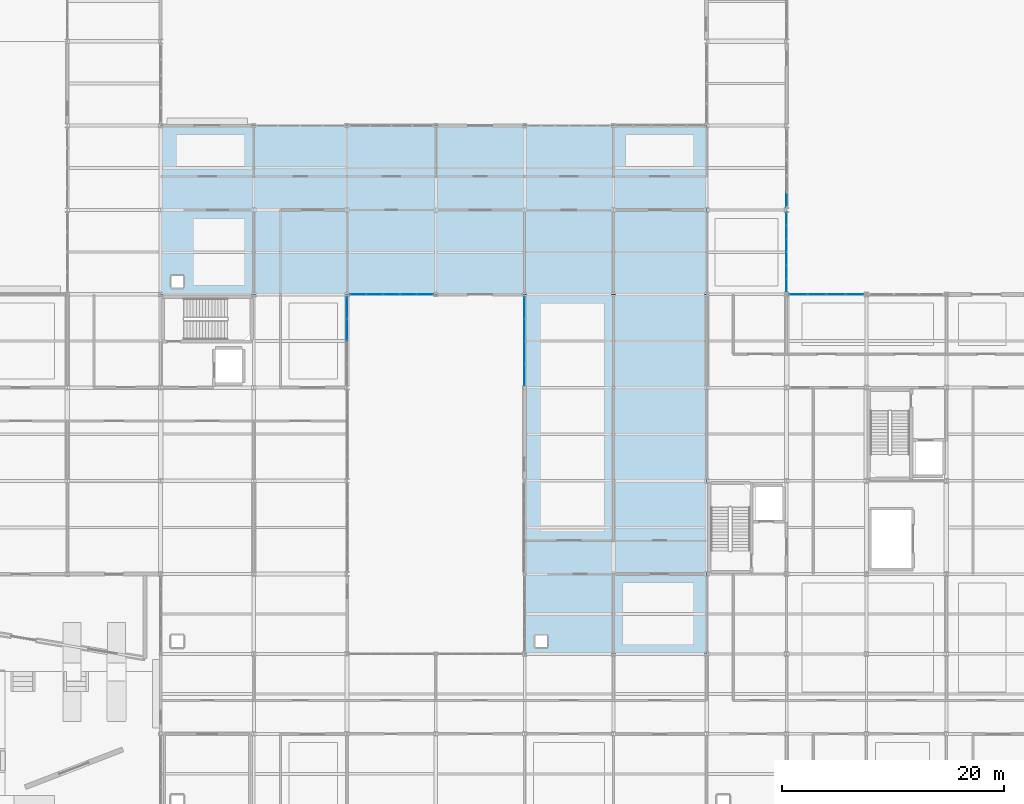
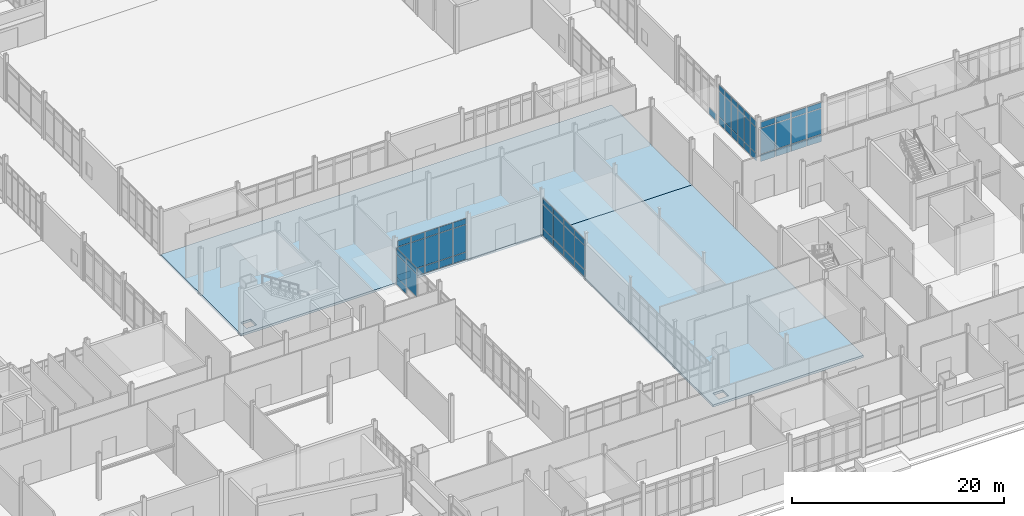
# One storey, part 144 of 229: 63 plates, 2 slabs, 6 elements without a shape of their own.
"""IFC4 building model written with IfcOpenShell, lengths in metres."""

from ifc_helpers import new_model, si_unit, direction, frame, origin, origin_2d, place, context, subcontext, project, spatial, polyline, rectangle, outline, extrude, material, layer, layer_set, type_object, element, aggregate, save


model = new_model("IFC4")

# Units and contexts
model_context = context("Model", 3, precision=1e-05, world=origin(), true_north=direction((0.0, 1.0)))
body_context = subcontext(model_context, "Body", "Model", "MODEL_VIEW")
ifc_project = project(units=[si_unit("LENGTHUNIT", "METRE"), si_unit("AREAUNIT", "SQUARE_METRE"), si_unit("VOLUMEUNIT", "CUBIC_METRE"), si_unit("PLANEANGLEUNIT", "RADIAN"), si_unit("MASSUNIT", "GRAM", prefix="KILO")], contexts=[model_context])

# Site, building, storey
site_placement = place(None, origin())
site = spatial("IfcSite", under=ifc_project, at=site_placement, CompositionType="ELEMENT")
building_placement = place(site_placement, origin())
building = spatial("IfcBuilding", under=site, at=building_placement, Name="Calvrana Isthmian Art Gallery", CompositionType="ELEMENT")
storey_placement = place(building_placement, origin())
storey = spatial("IfcBuildingStorey", under=building, at=storey_placement, Name="L00", CompositionType="ELEMENT", Elevation=0.0)

# Curtain wall, plates
ifc_material_1 = material(Name="Anodized bronze aluminium 6063-T6", Category="aluminium")
ifc_layer_1 = layer(ifc_material_1, 0.179931640625, Name="Anodized bronze aluminium 6063-T6")
ifc_layer_set_1 = layer_set([ifc_layer_1], Name="Anodized bronze aluminium 6063-T6")
curtain_wall_type_1 = type_object("IfcCurtainWallType", Name="CW-UNIT-076X48", PredefinedType="USERDEFINED", material=ifc_layer_set_1)
curtain_wall_1_placement = place(storey_placement, origin())
curtain_wall_1 = element("IfcCurtainWall", 1, at=curtain_wall_1_placement, inside=storey, type_object=curtain_wall_type_1, Name="Curtain wall CW-021", ObjectType="UNITISED CURTAIN WALL", PredefinedType="USERDEFINED")
ifc_material_2 = material(Name="Low-E laminated solar glass", Category="glass")
ifc_layer_2 = layer(ifc_material_2, 0.028076171875, Name="Low-E laminated solar glass")
ifc_layer_set_2 = layer_set([ifc_layer_2], Name="Low-E laminated solar glass")
plate_type = type_object("IfcPlateType", Name="CWP-VISION-28", PredefinedType="CURTAIN_PANEL", material=ifc_layer_set_2)
plate_1_placement = place(storey_placement, frame((87.43701171875, 46.800048828125, 0.06005859375), z_axis=(0.0, 0.0, 1.0), x_axis=(-1.0, 0.0, 0.0)))
plate_1 = element("IfcPlate", 2, at=plate_1_placement, type_object=plate_type, Name="CW-021 panel 1.1", PredefinedType="CURTAIN_PANEL", context=body_context, shape_type="SweptSolid", body=[
    extrude(rectangle(XDim=1.418212890625, YDim=0.028076171875, at=origin_2d()), origin(), (0.0, 0.0, 1.0), 0.81005859375),
])
plate_2_placement = place(storey_placement, frame((87.43701171875, 46.800048828125, 0.93017578125), z_axis=(0.0, 0.0, 1.0), x_axis=(-1.0, 0.0, 0.0)))
plate_2 = element("IfcPlate", 3, at=plate_2_placement, type_object=plate_type, Name="CW-021 panel 1.2", PredefinedType="CURTAIN_PANEL", context=body_context, shape_type="SweptSolid", body=[
    extrude(rectangle(XDim=1.418212890625, YDim=0.028076171875, at=origin_2d()), origin(), (0.0, 0.0, 1.0), 3.125244140625),
])
plate_3_placement = place(storey_placement, frame((87.43701171875, 46.800048828125, 4.115234375), z_axis=(0.0, 0.0, 1.0), x_axis=(-1.0, 0.0, 0.0)))
plate_3 = element("IfcPlate", 4, at=plate_3_placement, type_object=plate_type, Name="CW-021 panel 1.3", PredefinedType="CURTAIN_PANEL", context=body_context, shape_type="SweptSolid", body=[
    extrude(rectangle(XDim=1.418212890625, YDim=0.028076171875, at=origin_2d()), origin(), (0.0, 0.0, 1.0), 0.659912109375),
])
plate_4_placement = place(storey_placement, frame((85.931396484375, 46.800048828125, 0.06005859375), z_axis=(0.0, 0.0, 1.0), x_axis=(-1.0, 0.0, 0.0)))
plate_4 = element("IfcPlate", 5, at=plate_4_placement, type_object=plate_type, Name="CW-021 panel 2.1", PredefinedType="CURTAIN_PANEL", context=body_context, shape_type="SweptSolid", body=[
    extrude(rectangle(XDim=1.453125, YDim=0.028076171875, at=origin_2d()), origin(), (0.0, 0.0, 1.0), 0.81005859375),
])
plate_5_placement = place(storey_placement, frame((85.931396484375, 46.800048828125, 0.93017578125), z_axis=(0.0, 0.0, 1.0), x_axis=(-1.0, 0.0, 0.0)))
plate_5 = element("IfcPlate", 6, at=plate_5_placement, type_object=plate_type, Name="CW-021 panel 2.2", PredefinedType="CURTAIN_PANEL", context=body_context, shape_type="SweptSolid", body=[
    extrude(rectangle(XDim=1.453125, YDim=0.028076171875, at=origin_2d()), origin(), (0.0, 0.0, 1.0), 3.125244140625),
])
plate_6_placement = place(storey_placement, frame((85.931396484375, 46.800048828125, 4.115234375), z_axis=(0.0, 0.0, 1.0), x_axis=(-1.0, 0.0, 0.0)))
plate_6 = element("IfcPlate", 7, at=plate_6_placement, type_object=plate_type, Name="CW-021 panel 2.3", PredefinedType="CURTAIN_PANEL", context=body_context, shape_type="SweptSolid", body=[
    extrude(rectangle(XDim=1.453125, YDim=0.028076171875, at=origin_2d()), origin(), (0.0, 0.0, 1.0), 0.659912109375),
])
plate_7_placement = place(storey_placement, frame((84.408203125, 46.800048828125, 0.06005859375), z_axis=(0.0, 0.0, 1.0), x_axis=(-1.0, 0.0, 0.0)))
plate_7 = element("IfcPlate", 8, at=plate_7_placement, type_object=plate_type, Name="CW-021 panel 3.1", PredefinedType="CURTAIN_PANEL", context=body_context, shape_type="SweptSolid", body=[
    extrude(rectangle(XDim=1.453125, YDim=0.028076171875, at=origin_2d()), origin(), (0.0, 0.0, 1.0), 0.81005859375),
])
plate_8_placement = place(storey_placement, frame((84.408203125, 46.800048828125, 0.93017578125), z_axis=(0.0, 0.0, 1.0), x_axis=(-1.0, 0.0, 0.0)))
plate_8 = element("IfcPlate", 9, at=plate_8_placement, type_object=plate_type, Name="CW-021 panel 3.2", PredefinedType="CURTAIN_PANEL", context=body_context, shape_type="SweptSolid", body=[
    extrude(rectangle(XDim=1.453125, YDim=0.028076171875, at=origin_2d()), origin(), (0.0, 0.0, 1.0), 3.125244140625),
])
plate_9_placement = place(storey_placement, frame((84.408203125, 46.800048828125, 4.115234375), z_axis=(0.0, 0.0, 1.0), x_axis=(-1.0, 0.0, 0.0)))
plate_9 = element("IfcPlate", 10, at=plate_9_placement, type_object=plate_type, Name="CW-021 panel 3.3", PredefinedType="CURTAIN_PANEL", context=body_context, shape_type="SweptSolid", body=[
    extrude(rectangle(XDim=1.453125, YDim=0.028076171875, at=origin_2d()), origin(), (0.0, 0.0, 1.0), 0.659912109375),
])
plate_10_placement = place(storey_placement, frame((82.88525390625, 46.800048828125, 0.06005859375), z_axis=(0.0, 0.0, 1.0), x_axis=(-1.0, 0.0, 0.0)))
plate_10 = element("IfcPlate", 11, at=plate_10_placement, type_object=plate_type, Name="CW-021 panel 4.1", PredefinedType="CURTAIN_PANEL", context=body_context, shape_type="SweptSolid", body=[
    extrude(rectangle(XDim=1.453125, YDim=0.028076171875, at=origin_2d()), origin(), (0.0, 0.0, 1.0), 0.81005859375),
])
plate_11_placement = place(storey_placement, frame((82.88525390625, 46.800048828125, 0.93017578125), z_axis=(0.0, 0.0, 1.0), x_axis=(-1.0, 0.0, 0.0)))
plate_11 = element("IfcPlate", 12, at=plate_11_placement, type_object=plate_type, Name="CW-021 panel 4.2", PredefinedType="CURTAIN_PANEL", context=body_context, shape_type="SweptSolid", body=[
    extrude(rectangle(XDim=1.453125, YDim=0.028076171875, at=origin_2d()), origin(), (0.0, 0.0, 1.0), 3.125244140625),
])
plate_12_placement = place(storey_placement, frame((82.88525390625, 46.800048828125, 4.115234375), z_axis=(0.0, 0.0, 1.0), x_axis=(-1.0, 0.0, 0.0)))
plate_12 = element("IfcPlate", 13, at=plate_12_placement, type_object=plate_type, Name="CW-021 panel 4.3", PredefinedType="CURTAIN_PANEL", context=body_context, shape_type="SweptSolid", body=[
    extrude(rectangle(XDim=1.453125, YDim=0.028076171875, at=origin_2d()), origin(), (0.0, 0.0, 1.0), 0.659912109375),
])
plate_13_placement = place(storey_placement, frame((81.379638671875, 46.800048828125, 0.06005859375), z_axis=(0.0, 0.0, 1.0), x_axis=(-1.0, 0.0, 0.0)))
plate_13 = element("IfcPlate", 14, at=plate_13_placement, type_object=plate_type, Name="CW-021 panel 5.1", PredefinedType="CURTAIN_PANEL", context=body_context, shape_type="SweptSolid", body=[
    extrude(rectangle(XDim=1.418212890625, YDim=0.028076171875, at=origin_2d()), origin(), (0.0, 0.0, 1.0), 0.81005859375),
])
plate_14_placement = place(storey_placement, frame((81.379638671875, 46.800048828125, 0.93017578125), z_axis=(0.0, 0.0, 1.0), x_axis=(-1.0, 0.0, 0.0)))
plate_14 = element("IfcPlate", 15, at=plate_14_placement, type_object=plate_type, Name="CW-021 panel 5.2", PredefinedType="CURTAIN_PANEL", context=body_context, shape_type="SweptSolid", body=[
    extrude(rectangle(XDim=1.418212890625, YDim=0.028076171875, at=origin_2d()), origin(), (0.0, 0.0, 1.0), 3.125244140625),
])
plate_15_placement = place(storey_placement, frame((81.379638671875, 46.800048828125, 4.115234375), z_axis=(0.0, 0.0, 1.0), x_axis=(-1.0, 0.0, 0.0)))
plate_15 = element("IfcPlate", 16, at=plate_15_placement, type_object=plate_type, Name="CW-021 panel 5.3", PredefinedType="CURTAIN_PANEL", context=body_context, shape_type="SweptSolid", body=[
    extrude(rectangle(XDim=1.418212890625, YDim=0.028076171875, at=origin_2d()), origin(), (0.0, 0.0, 1.0), 0.659912109375),
])
aggregate(curtain_wall_1, [plate_1, plate_2, plate_3, plate_4, plate_5, plate_6, plate_7, plate_8, plate_9, plate_10, plate_11, plate_12, plate_13, plate_14, plate_15])

ifc_layer_3 = layer(ifc_material_1, 0.179931640625, Name="Anodized bronze aluminium 6063-T6")
ifc_layer_set_3 = layer_set([ifc_layer_3], Name="Anodized bronze aluminium 6063-T6")
curtain_wall_type_2 = type_object("IfcCurtainWallType", Name="CW-STICK-068X47", PredefinedType="NOTDEFINED", material=ifc_layer_set_3)
curtain_wall_2_placement = place(storey_placement, origin())
curtain_wall_2 = element("IfcCurtainWall", 17, at=curtain_wall_2_placement, inside=storey, type_object=curtain_wall_type_2, Name="Curtain wall CW-022", PredefinedType="NOTDEFINED")
plate_16_placement = place(storey_placement, frame((121.0693359375, 46.800048828125, 0.06494140625), z_axis=(0.0, 0.0, 1.0), x_axis=(1.0, 0.0, 0.0)))
plate_16 = element("IfcPlate", 18, at=plate_16_placement, type_object=plate_type, Name="CW-022 panel 1.1", PredefinedType="CURTAIN_PANEL", context=body_context, shape_type="SweptSolid", body=[
    extrude(rectangle(XDim=1.58740234375, YDim=0.028076171875, at=origin_2d()), origin(), (0.0, 0.0, 1.0), 0.802490234375),
])
plate_17_placement = place(storey_placement, frame((121.0693359375, 46.800048828125, 0.9326171875), z_axis=(0.0, 0.0, 1.0), x_axis=(1.0, 0.0, 0.0)))
plate_17 = element("IfcPlate", 19, at=plate_17_placement, type_object=plate_type, Name="CW-022 panel 1.2", PredefinedType="CURTAIN_PANEL", context=body_context, shape_type="SweptSolid", body=[
    extrude(rectangle(XDim=1.58740234375, YDim=0.028076171875, at=origin_2d()), origin(), (0.0, 0.0, 1.0), 2.943115234375),
])
plate_18_placement = place(storey_placement, frame((121.0693359375, 46.800048828125, 3.9404296875), z_axis=(0.0, 0.0, 1.0), x_axis=(1.0, 0.0, 0.0)))
plate_18 = element("IfcPlate", 20, at=plate_18_placement, type_object=plate_type, Name="CW-022 panel 1.3", PredefinedType="CURTAIN_PANEL", context=body_context, shape_type="SweptSolid", body=[
    extrude(rectangle(XDim=1.58740234375, YDim=0.028076171875, at=origin_2d()), origin(), (0.0, 0.0, 1.0), 0.652587890625),
])
plate_19_placement = place(storey_placement, frame((122.75048828125, 46.800048828125, 0.06494140625), z_axis=(0.0, 0.0, 1.0), x_axis=(1.0, 0.0, 0.0)))
plate_19 = element("IfcPlate", 21, at=plate_19_placement, type_object=plate_type, Name="CW-022 panel 2.1", PredefinedType="CURTAIN_PANEL", context=body_context, shape_type="SweptSolid", body=[
    extrude(rectangle(XDim=1.625, YDim=0.028076171875, at=origin_2d()), origin(), (0.0, 0.0, 1.0), 0.802490234375),
])
plate_20_placement = place(storey_placement, frame((122.75048828125, 46.800048828125, 0.9326171875), z_axis=(0.0, 0.0, 1.0), x_axis=(1.0, 0.0, 0.0)))
plate_20 = element("IfcPlate", 22, at=plate_20_placement, type_object=plate_type, Name="CW-022 panel 2.2", PredefinedType="CURTAIN_PANEL", context=body_context, shape_type="SweptSolid", body=[
    extrude(rectangle(XDim=1.625, YDim=0.028076171875, at=origin_2d()), origin(), (0.0, 0.0, 1.0), 2.943115234375),
])
plate_21_placement = place(storey_placement, frame((122.75048828125, 46.800048828125, 3.9404296875), z_axis=(0.0, 0.0, 1.0), x_axis=(1.0, 0.0, 0.0)))
plate_21 = element("IfcPlate", 23, at=plate_21_placement, type_object=plate_type, Name="CW-022 panel 2.3", PredefinedType="CURTAIN_PANEL", context=body_context, shape_type="SweptSolid", body=[
    extrude(rectangle(XDim=1.625, YDim=0.028076171875, at=origin_2d()), origin(), (0.0, 0.0, 1.0), 0.652587890625),
])
plate_22_placement = place(storey_placement, frame((124.450439453125, 46.800048828125, 0.06494140625), z_axis=(0.0, 0.0, 1.0), x_axis=(1.0, 0.0, 0.0)))
plate_22 = element("IfcPlate", 24, at=plate_22_placement, type_object=plate_type, Name="CW-022 panel 3.1", PredefinedType="CURTAIN_PANEL", context=body_context, shape_type="SweptSolid", body=[
    extrude(rectangle(XDim=1.625, YDim=0.028076171875, at=origin_2d()), origin(), (0.0, 0.0, 1.0), 0.802490234375),
])
plate_23_placement = place(storey_placement, frame((124.450439453125, 46.800048828125, 0.9326171875), z_axis=(0.0, 0.0, 1.0), x_axis=(1.0, 0.0, 0.0)))
plate_23 = element("IfcPlate", 25, at=plate_23_placement, type_object=plate_type, Name="CW-022 panel 3.2", PredefinedType="CURTAIN_PANEL", context=body_context, shape_type="SweptSolid", body=[
    extrude(rectangle(XDim=1.625, YDim=0.028076171875, at=origin_2d()), origin(), (0.0, 0.0, 1.0), 2.943115234375),
])
plate_24_placement = place(storey_placement, frame((124.450439453125, 46.800048828125, 3.9404296875), z_axis=(0.0, 0.0, 1.0), x_axis=(1.0, 0.0, 0.0)))
plate_24 = element("IfcPlate", 26, at=plate_24_placement, type_object=plate_type, Name="CW-022 panel 3.3", PredefinedType="CURTAIN_PANEL", context=body_context, shape_type="SweptSolid", body=[
    extrude(rectangle(XDim=1.625, YDim=0.028076171875, at=origin_2d()), origin(), (0.0, 0.0, 1.0), 0.652587890625),
])
plate_25_placement = place(storey_placement, frame((126.1318359375, 46.800048828125, 0.06494140625), z_axis=(0.0, 0.0, 1.0), x_axis=(1.0, 0.0, 0.0)))
plate_25 = element("IfcPlate", 27, at=plate_25_placement, type_object=plate_type, Name="CW-022 panel 4.1", PredefinedType="CURTAIN_PANEL", context=body_context, shape_type="SweptSolid", body=[
    extrude(rectangle(XDim=1.58740234375, YDim=0.028076171875, at=origin_2d()), origin(), (0.0, 0.0, 1.0), 0.802490234375),
])
plate_26_placement = place(storey_placement, frame((126.1318359375, 46.800048828125, 0.9326171875), z_axis=(0.0, 0.0, 1.0), x_axis=(1.0, 0.0, 0.0)))
plate_26 = element("IfcPlate", 28, at=plate_26_placement, type_object=plate_type, Name="CW-022 panel 4.2", PredefinedType="CURTAIN_PANEL", context=body_context, shape_type="SweptSolid", body=[
    extrude(rectangle(XDim=1.58740234375, YDim=0.028076171875, at=origin_2d()), origin(), (0.0, 0.0, 1.0), 2.943115234375),
])
plate_27_placement = place(storey_placement, frame((126.1318359375, 46.800048828125, 3.9404296875), z_axis=(0.0, 0.0, 1.0), x_axis=(1.0, 0.0, 0.0)))
plate_27 = element("IfcPlate", 29, at=plate_27_placement, type_object=plate_type, Name="CW-022 panel 4.3", PredefinedType="CURTAIN_PANEL", context=body_context, shape_type="SweptSolid", body=[
    extrude(rectangle(XDim=1.58740234375, YDim=0.028076171875, at=origin_2d()), origin(), (0.0, 0.0, 1.0), 0.652587890625),
])
aggregate(curtain_wall_2, [plate_16, plate_17, plate_18, plate_19, plate_20, plate_21, plate_22, plate_23, plate_24, plate_25, plate_26, plate_27])

ifc_layer_4 = layer(ifc_material_1, 0.179931640625, Name="Anodized bronze aluminium 6063-T6")
ifc_layer_set_4 = layer_set([ifc_layer_4], Name="Anodized bronze aluminium 6063-T6")
curtain_wall_type_3 = type_object("IfcCurtainWallType", Name="CW-STICK-080X43", PredefinedType="NOTDEFINED", material=ifc_layer_set_4)
curtain_wall_3_placement = place(storey_placement, origin())
curtain_wall_3 = element("IfcCurtainWall", 30, at=curtain_wall_3_placement, inside=storey, type_object=curtain_wall_type_3, Name="Curtain wall CW-071", PredefinedType="NOTDEFINED")
plate_28_placement = place(storey_placement, frame((80.39990234375, 45.578857421875, 0.06005859375), z_axis=(0.0, 0.0, 1.0), x_axis=(0.0, -1.0, 0.0)))
plate_28 = element("IfcPlate", 31, at=plate_28_placement, type_object=plate_type, Name="CW-071 panel 1.1", PredefinedType="CURTAIN_PANEL", context=body_context, shape_type="SweptSolid", body=[
    extrude(rectangle(XDim=1.883544921875, YDim=0.028076171875, at=origin_2d()), origin(), (0.0, 0.0, 1.0), 0.81005859375),
])
plate_29_placement = place(storey_placement, frame((80.39990234375, 45.578857421875, 0.93017578125), z_axis=(0.0, 0.0, 1.0), x_axis=(0.0, -1.0, 0.0)))
plate_29 = element("IfcPlate", 32, at=plate_29_placement, type_object=plate_type, Name="CW-071 panel 1.2", PredefinedType="CURTAIN_PANEL", context=body_context, shape_type="SweptSolid", body=[
    extrude(rectangle(XDim=1.883544921875, YDim=0.028076171875, at=origin_2d()), origin(), (0.0, 0.0, 1.0), 2.573974609375),
])
plate_30_placement = place(storey_placement, frame((80.39990234375, 45.578857421875, 3.56396484375), z_axis=(0.0, 0.0, 1.0), x_axis=(0.0, -1.0, 0.0)))
plate_30 = element("IfcPlate", 33, at=plate_30_placement, type_object=plate_type, Name="CW-071 panel 1.3", PredefinedType="CURTAIN_PANEL", context=body_context, shape_type="SweptSolid", body=[
    extrude(rectangle(XDim=1.883544921875, YDim=0.028076171875, at=origin_2d()), origin(), (0.0, 0.0, 1.0), 0.659912109375),
])
plate_31_placement = place(storey_placement, frame((80.39990234375, 43.59521484375, 0.93017578125), z_axis=(0.0, 0.0, 1.0), x_axis=(0.0, -1.0, 0.0)))
plate_31 = element("IfcPlate", 34, at=plate_31_placement, type_object=plate_type, Name="CW-071 panel 2.2", PredefinedType="CURTAIN_PANEL", context=body_context, shape_type="SweptSolid", body=[
    extrude(rectangle(XDim=1.923583984375, YDim=0.028076171875, at=origin_2d()), origin(), (0.0, 0.0, 1.0), 2.573974609375),
])
plate_32_placement = place(storey_placement, frame((80.39990234375, 43.59521484375, 3.56396484375), z_axis=(0.0, 0.0, 1.0), x_axis=(0.0, -1.0, 0.0)))
plate_32 = element("IfcPlate", 35, at=plate_32_placement, type_object=plate_type, Name="CW-071 panel 2.3", PredefinedType="CURTAIN_PANEL", context=body_context, shape_type="SweptSolid", body=[
    extrude(rectangle(XDim=1.923583984375, YDim=0.028076171875, at=origin_2d()), origin(), (0.0, 0.0, 1.0), 0.659912109375),
])
aggregate(curtain_wall_3, [plate_28, plate_29, plate_30, plate_31, plate_32])

ifc_layer_5 = layer(ifc_material_1, 0.179931640625, Name="Anodized bronze aluminium 6063-T6")
ifc_layer_set_5 = layer_set([ifc_layer_5], Name="Anodized bronze aluminium 6063-T6")
curtain_wall_type_4 = type_object("IfcCurtainWallType", Name="CW-STICK-081X44", PredefinedType="NOTDEFINED", material=ifc_layer_set_5)
curtain_wall_4_placement = place(storey_placement, origin())
curtain_wall_4 = element("IfcCurtainWall", 36, at=curtain_wall_4_placement, inside=storey, type_object=curtain_wall_type_4, Name="Curtain wall CW-074", PredefinedType="NOTDEFINED")
plate_33_placement = place(storey_placement, frame((96.39990234375, 39.576171875, 0.074951171875), z_axis=(0.0, 0.0, 1.0), x_axis=(0.0, 1.0, 0.0)))
plate_33 = element("IfcPlate", 37, at=plate_33_placement, type_object=plate_type, Name="CW-074 panel 1.1", PredefinedType="CURTAIN_PANEL", context=body_context, shape_type="SweptSolid", body=[
    extrude(rectangle(XDim=1.917724609375, YDim=0.028076171875, at=origin_2d()), origin(), (0.0, 0.0, 1.0), 0.78759765625),
])
plate_34_placement = place(storey_placement, frame((96.39990234375, 39.576171875, 0.9375), z_axis=(0.0, 0.0, 1.0), x_axis=(0.0, 1.0, 0.0)))
plate_34 = element("IfcPlate", 38, at=plate_34_placement, type_object=plate_type, Name="CW-074 panel 1.2", PredefinedType="CURTAIN_PANEL", context=body_context, shape_type="SweptSolid", body=[
    extrude(rectangle(XDim=1.917724609375, YDim=0.028076171875, at=origin_2d()), origin(), (0.0, 0.0, 1.0), 2.721923828125),
])
plate_35_placement = place(storey_placement, frame((96.39990234375, 39.576171875, 3.734375), z_axis=(0.0, 0.0, 1.0), x_axis=(0.0, 1.0, 0.0)))
plate_35 = element("IfcPlate", 39, at=plate_35_placement, type_object=plate_type, Name="CW-074 panel 1.3", PredefinedType="CURTAIN_PANEL", context=body_context, shape_type="SweptSolid", body=[
    extrude(rectangle(XDim=1.917724609375, YDim=0.028076171875, at=origin_2d()), origin(), (0.0, 0.0, 1.0), 0.637451171875),
])
plate_36_placement = place(storey_placement, frame((96.39990234375, 41.5751953125, 0.074951171875), z_axis=(0.0, 0.0, 1.0), x_axis=(0.0, 1.0, 0.0)))
plate_36 = element("IfcPlate", 40, at=plate_36_placement, type_object=plate_type, Name="CW-074 panel 2.1", PredefinedType="CURTAIN_PANEL", context=body_context, shape_type="SweptSolid", body=[
    extrude(rectangle(XDim=1.9501953125, YDim=0.028076171875, at=origin_2d()), origin(), (0.0, 0.0, 1.0), 0.78759765625),
])
plate_37_placement = place(storey_placement, frame((96.39990234375, 41.5751953125, 0.9375), z_axis=(0.0, 0.0, 1.0), x_axis=(0.0, 1.0, 0.0)))
plate_37 = element("IfcPlate", 41, at=plate_37_placement, type_object=plate_type, Name="CW-074 panel 2.2", PredefinedType="CURTAIN_PANEL", context=body_context, shape_type="SweptSolid", body=[
    extrude(rectangle(XDim=1.9501953125, YDim=0.028076171875, at=origin_2d()), origin(), (0.0, 0.0, 1.0), 2.721923828125),
])
plate_38_placement = place(storey_placement, frame((96.39990234375, 41.5751953125, 3.734375), z_axis=(0.0, 0.0, 1.0), x_axis=(0.0, 1.0, 0.0)))
plate_38 = element("IfcPlate", 42, at=plate_38_placement, type_object=plate_type, Name="CW-074 panel 2.3", PredefinedType="CURTAIN_PANEL", context=body_context, shape_type="SweptSolid", body=[
    extrude(rectangle(XDim=1.9501953125, YDim=0.028076171875, at=origin_2d()), origin(), (0.0, 0.0, 1.0), 0.637451171875),
])
plate_39_placement = place(storey_placement, frame((96.39990234375, 43.590576171875, 0.074951171875), z_axis=(0.0, 0.0, 1.0), x_axis=(0.0, 1.0, 0.0)))
plate_39 = element("IfcPlate", 43, at=plate_39_placement, type_object=plate_type, Name="CW-074 panel 3.1", PredefinedType="CURTAIN_PANEL", context=body_context, shape_type="SweptSolid", body=[
    extrude(rectangle(XDim=1.9501953125, YDim=0.028076171875, at=origin_2d()), origin(), (0.0, 0.0, 1.0), 0.78759765625),
])
plate_40_placement = place(storey_placement, frame((96.39990234375, 43.590576171875, 0.9375), z_axis=(0.0, 0.0, 1.0), x_axis=(0.0, 1.0, 0.0)))
plate_40 = element("IfcPlate", 44, at=plate_40_placement, type_object=plate_type, Name="CW-074 panel 3.2", PredefinedType="CURTAIN_PANEL", context=body_context, shape_type="SweptSolid", body=[
    extrude(rectangle(XDim=1.9501953125, YDim=0.028076171875, at=origin_2d()), origin(), (0.0, 0.0, 1.0), 2.721923828125),
])
plate_41_placement = place(storey_placement, frame((96.39990234375, 43.590576171875, 3.734375), z_axis=(0.0, 0.0, 1.0), x_axis=(0.0, 1.0, 0.0)))
plate_41 = element("IfcPlate", 45, at=plate_41_placement, type_object=plate_type, Name="CW-074 panel 3.3", PredefinedType="CURTAIN_PANEL", context=body_context, shape_type="SweptSolid", body=[
    extrude(rectangle(XDim=1.9501953125, YDim=0.028076171875, at=origin_2d()), origin(), (0.0, 0.0, 1.0), 0.637451171875),
])
plate_42_placement = place(storey_placement, frame((96.39990234375, 45.589599609375, 0.074951171875), z_axis=(0.0, 0.0, 1.0), x_axis=(0.0, 1.0, 0.0)))
plate_42 = element("IfcPlate", 46, at=plate_42_placement, type_object=plate_type, Name="CW-074 panel 4.1", PredefinedType="CURTAIN_PANEL", context=body_context, shape_type="SweptSolid", body=[
    extrude(rectangle(XDim=1.917724609375, YDim=0.028076171875, at=origin_2d()), origin(), (0.0, 0.0, 1.0), 0.78759765625),
])
plate_43_placement = place(storey_placement, frame((96.39990234375, 45.589599609375, 0.9375), z_axis=(0.0, 0.0, 1.0), x_axis=(0.0, 1.0, 0.0)))
plate_43 = element("IfcPlate", 47, at=plate_43_placement, type_object=plate_type, Name="CW-074 panel 4.2", PredefinedType="CURTAIN_PANEL", context=body_context, shape_type="SweptSolid", body=[
    extrude(rectangle(XDim=1.917724609375, YDim=0.028076171875, at=origin_2d()), origin(), (0.0, 0.0, 1.0), 2.721923828125),
])
plate_44_placement = place(storey_placement, frame((96.39990234375, 45.589599609375, 3.734375), z_axis=(0.0, 0.0, 1.0), x_axis=(0.0, 1.0, 0.0)))
plate_44 = element("IfcPlate", 48, at=plate_44_placement, type_object=plate_type, Name="CW-074 panel 4.3", PredefinedType="CURTAIN_PANEL", context=body_context, shape_type="SweptSolid", body=[
    extrude(rectangle(XDim=1.917724609375, YDim=0.028076171875, at=origin_2d()), origin(), (0.0, 0.0, 1.0), 0.637451171875),
])
aggregate(curtain_wall_4, [plate_33, plate_34, plate_35, plate_36, plate_37, plate_38, plate_39, plate_40, plate_41, plate_42, plate_43, plate_44])

ifc_layer_6 = layer(ifc_material_1, 0.179931640625, Name="Anodized bronze aluminium 6063-T6")
ifc_layer_set_6 = layer_set([ifc_layer_6], Name="Anodized bronze aluminium 6063-T6")
curtain_wall_type_5 = type_object("IfcCurtainWallType", Name="CW-STICK-072X47", PredefinedType="NOTDEFINED", material=ifc_layer_set_6)
curtain_wall_5_placement = place(storey_placement, origin())
curtain_wall_5 = element("IfcCurtainWall", 49, at=curtain_wall_5_placement, inside=storey, type_object=curtain_wall_type_5, Name="Curtain wall CW-076", PredefinedType="NOTDEFINED")
plate_45_placement = place(storey_placement, frame((120.0, 53.59228515625, 0.06005859375), z_axis=(0.0, 0.0, 1.0), x_axis=(0.0, -1.0, 0.0)))
plate_45 = element("IfcPlate", 50, at=plate_45_placement, type_object=plate_type, Name="CW-076 panel 1.1", PredefinedType="CURTAIN_PANEL", context=body_context, shape_type="SweptSolid", body=[
    extrude(rectangle(XDim=1.089599609375, YDim=0.028076171875, at=origin_2d()), origin(), (0.0, 0.0, 1.0), 0.81005859375),
])
plate_46_placement = place(storey_placement, frame((120.0, 53.59228515625, 0.93017578125), z_axis=(0.0, 0.0, 1.0), x_axis=(0.0, -1.0, 0.0)))
plate_46 = element("IfcPlate", 51, at=plate_46_placement, type_object=plate_type, Name="CW-076 panel 1.2", PredefinedType="CURTAIN_PANEL", context=body_context, shape_type="SweptSolid", body=[
    extrude(rectangle(XDim=1.089599609375, YDim=0.028076171875, at=origin_2d()), origin(), (0.0, 0.0, 1.0), 2.947998046875),
])
plate_47_placement = place(storey_placement, frame((120.0, 53.59228515625, 3.93798828125), z_axis=(0.0, 0.0, 1.0), x_axis=(0.0, -1.0, 0.0)))
plate_47 = element("IfcPlate", 52, at=plate_47_placement, type_object=plate_type, Name="CW-076 panel 1.3", PredefinedType="CURTAIN_PANEL", context=body_context, shape_type="SweptSolid", body=[
    extrude(rectangle(XDim=1.089599609375, YDim=0.028076171875, at=origin_2d()), origin(), (0.0, 0.0, 1.0), 0.659912109375),
])
plate_48_placement = place(storey_placement, frame((120.0, 52.408935546875, 0.06005859375), z_axis=(0.0, 0.0, 1.0), x_axis=(0.0, -1.0, 0.0)))
plate_48 = element("IfcPlate", 53, at=plate_48_placement, type_object=plate_type, Name="CW-076 panel 2.1", PredefinedType="CURTAIN_PANEL", context=body_context, shape_type="SweptSolid", body=[
    extrude(rectangle(XDim=1.127197265625, YDim=0.028076171875, at=origin_2d()), origin(), (0.0, 0.0, 1.0), 0.81005859375),
])
plate_49_placement = place(storey_placement, frame((120.0, 52.408935546875, 0.93017578125), z_axis=(0.0, 0.0, 1.0), x_axis=(0.0, -1.0, 0.0)))
plate_49 = element("IfcPlate", 54, at=plate_49_placement, type_object=plate_type, Name="CW-076 panel 2.2", PredefinedType="CURTAIN_PANEL", context=body_context, shape_type="SweptSolid", body=[
    extrude(rectangle(XDim=1.127197265625, YDim=0.028076171875, at=origin_2d()), origin(), (0.0, 0.0, 1.0), 2.947998046875),
])
plate_50_placement = place(storey_placement, frame((120.0, 52.408935546875, 3.93798828125), z_axis=(0.0, 0.0, 1.0), x_axis=(0.0, -1.0, 0.0)))
plate_50 = element("IfcPlate", 55, at=plate_50_placement, type_object=plate_type, Name="CW-076 panel 2.3", PredefinedType="CURTAIN_PANEL", context=body_context, shape_type="SweptSolid", body=[
    extrude(rectangle(XDim=1.127197265625, YDim=0.028076171875, at=origin_2d()), origin(), (0.0, 0.0, 1.0), 0.659912109375),
])
plate_51_placement = place(storey_placement, frame((120.0, 51.206787109375, 0.06005859375), z_axis=(0.0, 0.0, 1.0), x_axis=(0.0, -1.0, 0.0)))
plate_51 = element("IfcPlate", 56, at=plate_51_placement, type_object=plate_type, Name="CW-076 panel 3.1", PredefinedType="CURTAIN_PANEL", context=body_context, shape_type="SweptSolid", body=[
    extrude(rectangle(XDim=1.127197265625, YDim=0.028076171875, at=origin_2d()), origin(), (0.0, 0.0, 1.0), 0.81005859375),
])
plate_52_placement = place(storey_placement, frame((120.0, 51.206787109375, 0.93017578125), z_axis=(0.0, 0.0, 1.0), x_axis=(0.0, -1.0, 0.0)))
plate_52 = element("IfcPlate", 57, at=plate_52_placement, type_object=plate_type, Name="CW-076 panel 3.2", PredefinedType="CURTAIN_PANEL", context=body_context, shape_type="SweptSolid", body=[
    extrude(rectangle(XDim=1.127197265625, YDim=0.028076171875, at=origin_2d()), origin(), (0.0, 0.0, 1.0), 2.947998046875),
])
plate_53_placement = place(storey_placement, frame((120.0, 51.206787109375, 3.93798828125), z_axis=(0.0, 0.0, 1.0), x_axis=(0.0, -1.0, 0.0)))
plate_53 = element("IfcPlate", 58, at=plate_53_placement, type_object=plate_type, Name="CW-076 panel 3.3", PredefinedType="CURTAIN_PANEL", context=body_context, shape_type="SweptSolid", body=[
    extrude(rectangle(XDim=1.127197265625, YDim=0.028076171875, at=origin_2d()), origin(), (0.0, 0.0, 1.0), 0.659912109375),
])
plate_54_placement = place(storey_placement, frame((120.0, 50.004638671875, 0.06005859375), z_axis=(0.0, 0.0, 1.0), x_axis=(0.0, -1.0, 0.0)))
plate_54 = element("IfcPlate", 59, at=plate_54_placement, type_object=plate_type, Name="CW-076 panel 4.1", PredefinedType="CURTAIN_PANEL", context=body_context, shape_type="SweptSolid", body=[
    extrude(rectangle(XDim=1.127197265625, YDim=0.028076171875, at=origin_2d()), origin(), (0.0, 0.0, 1.0), 0.81005859375),
])
plate_55_placement = place(storey_placement, frame((120.0, 50.004638671875, 0.93017578125), z_axis=(0.0, 0.0, 1.0), x_axis=(0.0, -1.0, 0.0)))
plate_55 = element("IfcPlate", 60, at=plate_55_placement, type_object=plate_type, Name="CW-076 panel 4.2", PredefinedType="CURTAIN_PANEL", context=body_context, shape_type="SweptSolid", body=[
    extrude(rectangle(XDim=1.127197265625, YDim=0.028076171875, at=origin_2d()), origin(), (0.0, 0.0, 1.0), 2.947998046875),
])
plate_56_placement = place(storey_placement, frame((120.0, 50.004638671875, 3.93798828125), z_axis=(0.0, 0.0, 1.0), x_axis=(0.0, -1.0, 0.0)))
plate_56 = element("IfcPlate", 61, at=plate_56_placement, type_object=plate_type, Name="CW-076 panel 4.3", PredefinedType="CURTAIN_PANEL", context=body_context, shape_type="SweptSolid", body=[
    extrude(rectangle(XDim=1.127197265625, YDim=0.028076171875, at=origin_2d()), origin(), (0.0, 0.0, 1.0), 0.659912109375),
])
plate_57_placement = place(storey_placement, frame((120.0, 48.802734375, 0.06005859375), z_axis=(0.0, 0.0, 1.0), x_axis=(0.0, -1.0, 0.0)))
plate_57 = element("IfcPlate", 62, at=plate_57_placement, type_object=plate_type, Name="CW-076 panel 5.1", PredefinedType="CURTAIN_PANEL", context=body_context, shape_type="SweptSolid", body=[
    extrude(rectangle(XDim=1.127197265625, YDim=0.028076171875, at=origin_2d()), origin(), (0.0, 0.0, 1.0), 0.81005859375),
])
plate_58_placement = place(storey_placement, frame((120.0, 48.802734375, 0.93017578125), z_axis=(0.0, 0.0, 1.0), x_axis=(0.0, -1.0, 0.0)))
plate_58 = element("IfcPlate", 63, at=plate_58_placement, type_object=plate_type, Name="CW-076 panel 5.2", PredefinedType="CURTAIN_PANEL", context=body_context, shape_type="SweptSolid", body=[
    extrude(rectangle(XDim=1.127197265625, YDim=0.028076171875, at=origin_2d()), origin(), (0.0, 0.0, 1.0), 2.947998046875),
])
plate_59_placement = place(storey_placement, frame((120.0, 48.802734375, 3.93798828125), z_axis=(0.0, 0.0, 1.0), x_axis=(0.0, -1.0, 0.0)))
plate_59 = element("IfcPlate", 64, at=plate_59_placement, type_object=plate_type, Name="CW-076 panel 5.3", PredefinedType="CURTAIN_PANEL", context=body_context, shape_type="SweptSolid", body=[
    extrude(rectangle(XDim=1.127197265625, YDim=0.028076171875, at=origin_2d()), origin(), (0.0, 0.0, 1.0), 0.659912109375),
])
plate_60_placement = place(storey_placement, frame((120.0, 47.619384765625, 0.06005859375), z_axis=(0.0, 0.0, 1.0), x_axis=(0.0, -1.0, 0.0)))
plate_60 = element("IfcPlate", 65, at=plate_60_placement, type_object=plate_type, Name="CW-076 panel 6.1", PredefinedType="CURTAIN_PANEL", context=body_context, shape_type="SweptSolid", body=[
    extrude(rectangle(XDim=1.089599609375, YDim=0.028076171875, at=origin_2d()), origin(), (0.0, 0.0, 1.0), 0.81005859375),
])
plate_61_placement = place(storey_placement, frame((120.0, 47.619384765625, 0.93017578125), z_axis=(0.0, 0.0, 1.0), x_axis=(0.0, -1.0, 0.0)))
plate_61 = element("IfcPlate", 66, at=plate_61_placement, type_object=plate_type, Name="CW-076 panel 6.2", PredefinedType="CURTAIN_PANEL", context=body_context, shape_type="SweptSolid", body=[
    extrude(rectangle(XDim=1.089599609375, YDim=0.028076171875, at=origin_2d()), origin(), (0.0, 0.0, 1.0), 2.947998046875),
])
plate_62_placement = place(storey_placement, frame((120.0, 47.619384765625, 3.93798828125), z_axis=(0.0, 0.0, 1.0), x_axis=(0.0, -1.0, 0.0)))
plate_62 = element("IfcPlate", 67, at=plate_62_placement, type_object=plate_type, Name="CW-076 panel 6.3", PredefinedType="CURTAIN_PANEL", context=body_context, shape_type="SweptSolid", body=[
    extrude(rectangle(XDim=1.089599609375, YDim=0.028076171875, at=origin_2d()), origin(), (0.0, 0.0, 1.0), 0.659912109375),
])
aggregate(curtain_wall_5, [plate_45, plate_46, plate_47, plate_48, plate_49, plate_50, plate_51, plate_52, plate_53, plate_54, plate_55, plate_56, plate_57, plate_58, plate_59, plate_60, plate_61, plate_62])

# Curtain wall, plate
ifc_layer_7 = layer(ifc_material_1, 0.179931640625, Name="Anodized bronze aluminium 6063-T6")
ifc_layer_set_7 = layer_set([ifc_layer_7], Name="Anodized bronze aluminium 6063-T6")
curtain_wall_type_6 = type_object("IfcCurtainWallType", Name="CW-STICK-072X45", PredefinedType="NOTDEFINED", material=ifc_layer_set_7)
curtain_wall_6_placement = place(storey_placement, origin())
curtain_wall_6 = element("IfcCurtainWall", 68, at=curtain_wall_6_placement, inside=storey, type_object=curtain_wall_type_6, Name="Curtain wall CW-077", PredefinedType="NOTDEFINED")
plate_63_placement = place(storey_placement, frame((120.0, 55.330078125, 0.06494140625), z_axis=(0.0, 0.0, 1.0), x_axis=(0.0, -1.0, 0.0)))
plate_63 = element("IfcPlate", 69, at=plate_63_placement, type_object=plate_type, Name="CW-077 panel 5.1", PredefinedType="CURTAIN_PANEL", context=body_context, shape_type="SweptSolid", body=[
    extrude(rectangle(XDim=1.32421875, YDim=0.028076171875, at=origin_2d()), origin(), (0.0, 0.0, 1.0), 0.802490234375),
])
aggregate(curtain_wall_6, [plate_63])

# Slabs
ifc_material_3 = material(Name="Concrete C40/50", Category="concrete")
ifc_layer_8 = layer(ifc_material_3, 0.260009765625, Name="Concrete C40/50")
ifc_layer_set_8 = layer_set([ifc_layer_8], Name="Concrete C40/50")
slab_type = type_object("IfcSlabType", Name="SLB-GAL-260", PredefinedType="FLOOR", material=ifc_layer_set_8)
slab_1_placement = place(storey_placement, frame((0.0, 0.0, -0.260009765625)))
element("IfcSlab", 70, at=slab_1_placement, inside=storey, type_object=slab_type, Name="Floor slab V2E_L00", PredefinedType="FLOOR", context=body_context, shape_type="SweptSolid", body=[
    extrude(outline(polyline([(96.39990234375, 14.39990234375), (112.800048828125, 14.39990234375), (112.800048828125, 46.800048828125), (96.39990234375, 46.800048828125), (96.39990234375, 14.39990234375)]), holes=[polyline([(97.360107421875, 15.0), (98.43994140625, 15.0), (98.43994140625, 16.080078125), (97.360107421875, 16.080078125), (97.360107421875, 15.0)])]), origin(), (0.0, 0.0, 1.0), 0.260009765625),
])
slab_2_placement = place(storey_placement, frame((0.0, 0.0, -0.260009765625)))
element("IfcSlab", 71, at=slab_2_placement, inside=storey, type_object=slab_type, Name="Floor slab V2N_L00", PredefinedType="FLOOR", context=body_context, shape_type="SweptSolid", body=[
    extrude(outline(polyline([(63.60009765625, 46.800048828125), (112.800048828125, 46.800048828125), (112.800048828125, 62.0), (63.60009765625, 62.0), (63.60009765625, 46.800048828125)]), holes=[polyline([(64.56005859375, 47.39990234375), (65.639892578125, 47.39990234375), (65.639892578125, 48.47998046875), (64.56005859375, 48.47998046875), (64.56005859375, 47.39990234375)])]), origin(), (0.0, 0.0, 1.0), 0.260009765625),
])

save(model, "model.ifc")
